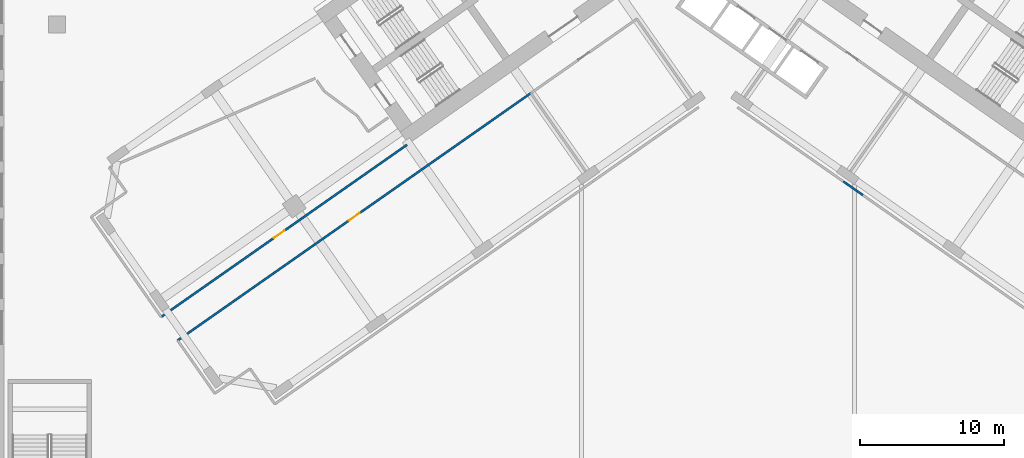
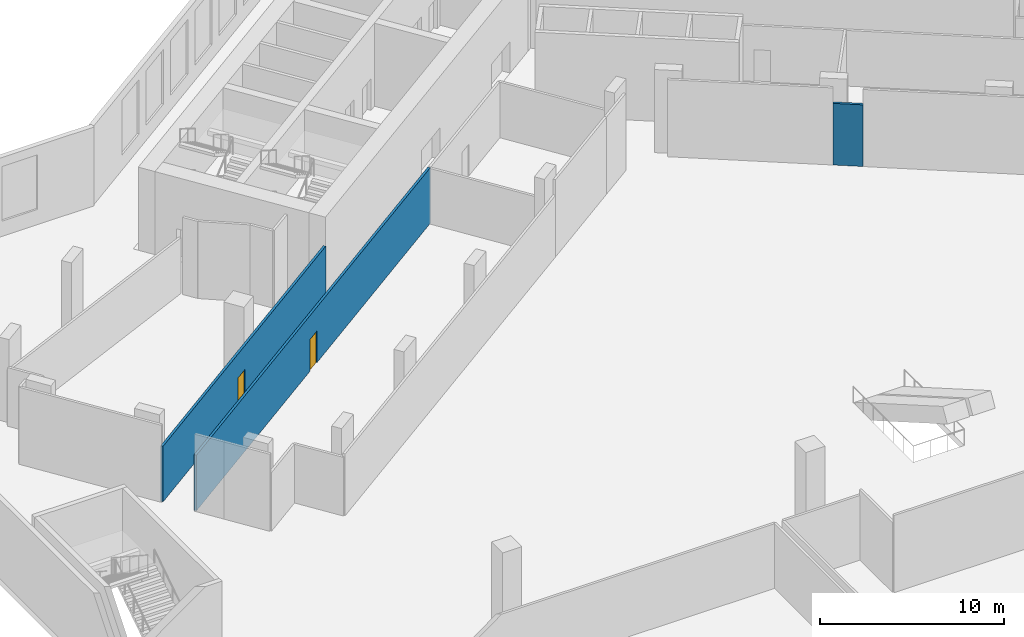
# One storey, part 7 of 26: 3 walls, 2 doors, 2 openings.
"""IFC4 building model written with IfcOpenShell, lengths in metres."""

from ifc_helpers import new_model, si_unit, direction, frame, frame_2d, origin, place, context, subcontext, project, spatial, rectangle, extrude, material, layer, layer_set, type_object, element, fill, save


model = new_model("IFC4")

# Units and contexts
model_context = context("Model", 3, precision=1e-05, world=origin(), true_north=direction((0.0, 1.0)))
body_context = subcontext(model_context, "Body", "Model", "MODEL_VIEW")
ifc_project = project(units=[si_unit("LENGTHUNIT", "METRE"), si_unit("AREAUNIT", "SQUARE_METRE"), si_unit("VOLUMEUNIT", "CUBIC_METRE"), si_unit("PLANEANGLEUNIT", "RADIAN"), si_unit("MASSUNIT", "GRAM", prefix="KILO")], contexts=[model_context])

# Site, building, storey
site_placement = place(None, origin())
site = spatial("IfcSite", under=ifc_project, at=site_placement, CompositionType="ELEMENT")
building_placement = place(site_placement, origin())
building = spatial("IfcBuilding", under=site, at=building_placement, Name="Tel Ilan Convention Tower", CompositionType="ELEMENT")
storey_placement = place(building_placement, frame((0.0, 0.0, 37.5)))
storey = spatial("IfcBuildingStorey", under=building, at=storey_placement, Name="L05", CompositionType="ELEMENT", Elevation=37.5)

# Wall, opening, door
ifc_material_1 = material(Name="Plasterboard on Steel Studs", Category="steel")
ifc_layer = layer(ifc_material_1, 0.14990234375)
ifc_layer_set = layer_set([ifc_layer], Name="Fire-rated Partition 150 EI 60")
wall_type = type_object("IfcWallType", Name="Fire-rated Partition 150 EI 60", PredefinedType="PARTITIONING", material=ifc_layer_set)
wall_1_placement = place(storey_placement, frame((-38.74560546875, -28.350830078125, 0.0), z_axis=(0.0, 0.0, 1.0), x_axis=(0.819148965066, 0.573580833911, 0.0)))
wall_1 = element("IfcWall", 1, at=wall_1_placement, inside=storey, type_object=wall_type, Name="Partition 004", PredefinedType="PARTITIONING", context=body_context, shape_type="SweptSolid", body=[
    extrude(rectangle(XDim=20.8798828125, YDim=0.14990234375, at=frame_2d((10.43994140625, 0.0))), origin(), (0.0, 0.0, 1.0), 3.679931640625),
])
opening_1_placement = place(wall_1_placement, frame((9.590087890625, 0.0, 0.0)))
opening_1 = element("IfcOpeningElement", 2, at=opening_1_placement, cuts=wall_1, Name="Opening L05-003", PredefinedType="OPENING", context=body_context, shape_type="SweptSolid", body=[
    extrude(rectangle(XDim=0.89990234375, YDim=2.10009765625, at=frame_2d((0.449951171875, 1.050048828125))), frame((0.0, 0.0849609375, 0.0), z_axis=(0.0, -1.0, 0.0), x_axis=(1.0, 0.0, 0.0)), (0.0, 0.0, 1.0), 0.169921875),
])
ifc_material_2 = material(Name="Timber Door Leaf in Steel Frame", Category="steel")
door_type_1 = type_object("IfcDoorType", Name="Riser and Service Fire Door 900x2100", OperationType="NOTDEFINED", PredefinedType="DOOR", material=ifc_material_2)
door_1_placement = place(opening_1_placement, origin())
door_1 = element("IfcDoor", 3, at=door_1_placement, inside=storey, type_object=door_type_1, Name="Door L05-003", OperationType="SINGLE_SWING_LEFT", OverallHeight=2.10009765625, OverallWidth=0.89990234375, PredefinedType="DOOR", context=body_context, shape_type="SweptSolid", body=[
    extrude(rectangle(XDim=0.89990234375, YDim=2.10009765625, at=frame_2d((0.449951171875, 1.050048828125))), frame((0.0, 0.02490234375, 0.0), z_axis=(0.0, -1.0, 0.0), x_axis=(1.0, 0.0, 0.0)), (0.0, 0.0, 1.0), 0.050048828125),
])
fill(opening_1, door_1)

wall_2_placement = place(storey_placement, frame((-13.0224609375, -12.78076171875, 0.0), z_axis=(0.0, 0.0, 1.0), x_axis=(-0.819154688631, -0.57357265982, 0.0)))
wall_2 = element("IfcWall", 4, at=wall_2_placement, inside=storey, type_object=wall_type, Name="Partition 006", PredefinedType="PARTITIONING", context=body_context, shape_type="SweptSolid", body=[
    extrude(rectangle(XDim=30.001953125, YDim=0.14990234375, at=frame_2d((15.0009765625, 0.0))), origin(), (0.0, 0.0, 1.0), 3.679931640625),
])
opening_2_placement = place(wall_2_placement, frame((14.551025390625, 0.0, 0.0)))
opening_2 = element("IfcOpeningElement", 5, at=opening_2_placement, cuts=wall_2, Name="Opening L05-002", PredefinedType="OPENING", context=body_context, shape_type="SweptSolid", body=[
    extrude(rectangle(XDim=0.89990234375, YDim=2.10009765625, at=frame_2d((0.449951171875, 1.050048828125))), frame((0.0, 0.0849609375, 0.0), z_axis=(0.0, -1.0, 0.0), x_axis=(1.0, 0.0, 0.0)), (0.0, 0.0, 1.0), 0.169921875),
])
ifc_material_3 = material(Name="Timber Door Leaf in Steel Frame", Category="steel")
door_type_2 = type_object("IfcDoorType", Name="Room Fire Door 900x2100", OperationType="NOTDEFINED", PredefinedType="DOOR", material=ifc_material_3)
door_2_placement = place(opening_2_placement, origin())
door_2 = element("IfcDoor", 6, at=door_2_placement, inside=storey, type_object=door_type_2, Name="Door L05-002", OperationType="SINGLE_SWING_RIGHT", OverallHeight=2.10009765625, OverallWidth=0.89990234375, PredefinedType="DOOR", context=body_context, shape_type="SweptSolid", body=[
    extrude(rectangle(XDim=0.89990234375, YDim=2.10009765625, at=frame_2d((0.449951171875, 1.050048828125))), frame((0.0, 0.02490234375, 0.0), z_axis=(0.0, -1.0, 0.0), x_axis=(1.0, 0.0, 0.0)), (0.0, 0.0, 1.0), 0.050048828125),
])
fill(opening_2, door_2)

# Wall
wall_3_placement = place(storey_placement, frame((10.0751953125, -19.872802734375, 0.0), z_axis=(0.0, 0.0, 1.0), x_axis=(-0.819190252408, 0.573521865634, 0.0)))
element("IfcWall", 7, at=wall_3_placement, inside=storey, type_object=wall_type, Name="Partition 026", PredefinedType="PARTITIONING", context=body_context, shape_type="SweptSolid", body=[
    extrude(rectangle(XDim=1.651611328125, YDim=0.14990234375, at=frame_2d((0.82568359375, 0.0))), origin(), (0.0, 0.0, 1.0), 4.080078125),
])

save(model, "model.ifc")
